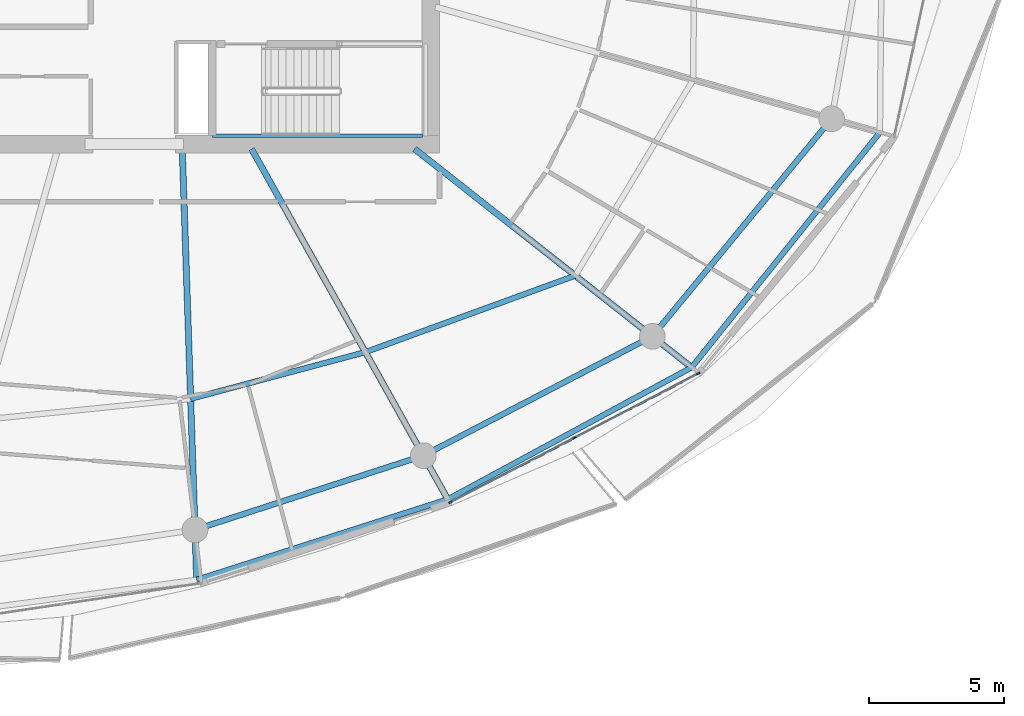
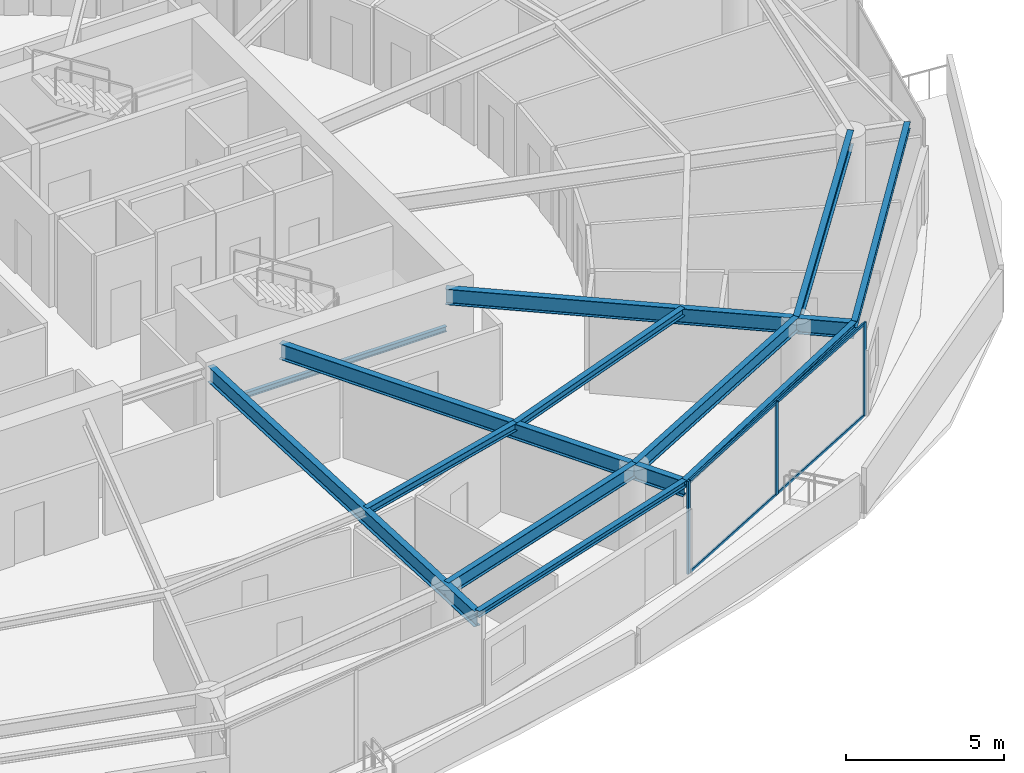
# One storey, part 9 of 29: 12 beams, 7 members, 1 element without a shape of its own.
"""IFC4 building model written with IfcOpenShell, lengths in metres."""

from ifc_helpers import new_model, si_unit, direction, frame, origin, origin_2d, place, context, subcontext, project, spatial, rectangle, i_section, extrude, material, layer, layer_set, material_profile, profile_set, type_object, element, aggregate, save


model = new_model("IFC4")

# Units and contexts
model_context = context("Model", 3, precision=1e-05, world=origin(), true_north=direction((0.0, 1.0)))
body_context = subcontext(model_context, "Body", "Model", "MODEL_VIEW")
ifc_project = project(units=[si_unit("LENGTHUNIT", "METRE"), si_unit("AREAUNIT", "SQUARE_METRE"), si_unit("VOLUMEUNIT", "CUBIC_METRE"), si_unit("PLANEANGLEUNIT", "RADIAN"), si_unit("MASSUNIT", "GRAM", prefix="KILO")], contexts=[model_context])

# Site, building, storey
site_placement = place(None, origin())
site = spatial("IfcSite", under=ifc_project, at=site_placement, CompositionType="ELEMENT")
building_placement = place(site_placement, origin())
building = spatial("IfcBuilding", under=site, at=building_placement, Name="Kazma Halo Residences", CompositionType="ELEMENT")
storey_placement = place(building_placement, frame((0.0, 0.0, 252.10009765625)))
storey = spatial("IfcBuildingStorey", under=building, at=storey_placement, Name="L63", CompositionType="ELEMENT", Elevation=252.10009765625)

# Beams
ifc_material_1 = material(Name="Steel S355", Category="steel")
ifc_material_profile_1 = material_profile(ifc_material_1, i_section(OverallWidth=0.201904296875, OverallDepth=0.2470703125, WebThickness=0.00732421875, FlangeThickness=0.010986328125, FilletRadius=0.011962890625, at=origin_2d()), Name="W250x49.1")
ifc_profile_set_1 = profile_set([ifc_material_profile_1], Name="Steel S355")
beam_type_1 = type_object("IfcBeamType", Name="BM-BAL-CANT", PredefinedType="BEAM", material=ifc_profile_set_1)
beam_1_placement = place(storey_placement, frame((50.7333984375, 17.580078125, 3.46630859375), z_axis=(0.952215866624, 0.305425839362, 0.0), x_axis=(-0.305425839362, 0.952215866624, 0.0)))
element("IfcBeam", 1, at=beam_1_placement, inside=storey, type_object=beam_type_1, Name="L63 wave-balcony tie beam 12", PredefinedType="BEAM", context=body_context, shape_type="SweptSolid", body=[
    extrude(i_section(OverallWidth=0.201904296875, OverallDepth=0.2470703125, WebThickness=0.00732421875, FlangeThickness=0.010986328125, FilletRadius=0.011962890625, at=origin_2d()), origin(), (0.0, 0.0, 1.0), 9.74169921875),
])
beam_2_placement = place(storey_placement, frame((60.009521484375, 20.555419921875, 3.46630859375), z_axis=(0.879517282036, 0.475866946321, 0.0), x_axis=(-0.475866946321, 0.879517282036, 0.0)))
element("IfcBeam", 2, at=beam_2_placement, inside=storey, type_object=beam_type_1, Name="L63 wave-balcony tie beam 13", PredefinedType="BEAM", context=body_context, shape_type="SweptSolid", body=[
    extrude(i_section(OverallWidth=0.201904296875, OverallDepth=0.2470703125, WebThickness=0.00732421875, FlangeThickness=0.010986328125, FilletRadius=0.011962890625, at=origin_2d()), origin(), (0.0, 0.0, 1.0), 10.243408203125),
])
beam_3_placement = place(storey_placement, frame((69.018798828125, 25.429931640625, 3.46630859375), z_axis=(0.625117912406, 0.780530329705, 0.0), x_axis=(-0.780530329705, 0.625117912406, 0.0)))
element("IfcBeam", 3, at=beam_3_placement, inside=storey, type_object=beam_type_1, Name="L63 wave-balcony tie beam 14", PredefinedType="BEAM", context=body_context, shape_type="SweptSolid", body=[
    extrude(i_section(OverallWidth=0.201904296875, OverallDepth=0.2470703125, WebThickness=0.00732421875, FlangeThickness=0.010986328125, FilletRadius=0.011962890625, at=origin_2d()), origin(), (0.0, 0.0, 1.0), 11.1220703125),
])
ifc_material_profile_2 = material_profile(ifc_material_1, i_section(OverallWidth=0.22802734375, OverallDepth=0.60791015625, WebThickness=0.01123046875, FlangeThickness=0.017333984375, FilletRadius=0.01806640625, at=origin_2d()), Name="W610x113")
ifc_profile_set_2 = profile_set([ifc_material_profile_2], Name="Steel S355")
beam_type_2 = type_object("IfcBeamType", Name="BM-RAD-W610", PredefinedType="BEAM", material=ifc_profile_set_2)
beam_4_placement = place(storey_placement, frame((50.199951171875, 33.5, 3.285888671875), z_axis=(0.03348936291, -0.999439073967, 0.0), x_axis=(0.999439073967, 0.03348936291, 0.0)))
element("IfcBeam", 4, at=beam_4_placement, inside=storey, type_object=beam_type_2, Name="L63 radial floor beam 12", PredefinedType="BEAM", context=body_context, shape_type="SweptSolid", body=[
    extrude(i_section(OverallWidth=0.22802734375, OverallDepth=0.60791015625, WebThickness=0.01123046875, FlangeThickness=0.017333984375, FilletRadius=0.01806640625, at=origin_2d()), origin(), (0.0, 0.0, 1.0), 15.928955078125),
])
beam_5_placement = place(storey_placement, frame((52.76025390625, 33.5, 3.285888671875), z_axis=(0.488618902548, -0.872497316943, 0.0), x_axis=(0.872497316943, 0.488618902548, 0.0)))
element("IfcBeam", 5, at=beam_5_placement, inside=storey, type_object=beam_type_2, Name="L63 radial floor beam 13", PredefinedType="BEAM", context=body_context, shape_type="SweptSolid", body=[
    extrude(i_section(OverallWidth=0.22802734375, OverallDepth=0.60791015625, WebThickness=0.01123046875, FlangeThickness=0.017333984375, FilletRadius=0.01806640625, at=origin_2d()), origin(), (0.0, 0.0, 1.0), 14.836181640625),
])
beam_6_placement = place(storey_placement, frame((58.7822265625, 33.5, 3.285888671875), z_axis=(0.785309266897, -0.619103670903, 0.0), x_axis=(0.619103670903, 0.785309266897, 0.0)))
element("IfcBeam", 6, at=beam_6_placement, inside=storey, type_object=beam_type_2, Name="L63 radial floor beam 14", PredefinedType="BEAM", context=body_context, shape_type="SweptSolid", body=[
    extrude(i_section(OverallWidth=0.22802734375, OverallDepth=0.60791015625, WebThickness=0.01123046875, FlangeThickness=0.017333984375, FilletRadius=0.01806640625, at=origin_2d()), origin(), (0.0, 0.0, 1.0), 13.03515625),
])
ifc_material_profile_3 = material_profile(ifc_material_1, i_section(OverallWidth=0.202880859375, OverallDepth=0.302978515625, WebThickness=0.007568359375, FlangeThickness=0.01318359375, FilletRadius=0.013916015625, at=origin_2d()), Name="W310x60")
ifc_profile_set_3 = profile_set([ifc_material_profile_3], Name="Steel S355")
beam_type_3 = type_object("IfcBeamType", Name="BM-SEC-W310A", PredefinedType="JOIST", material=ifc_profile_set_3)
beam_7_placement = place(storey_placement, frame((50.50927734375, 24.2666015625, 3.4384765625), z_axis=(0.966079519115, 0.258244772932, 0.0), x_axis=(-0.258244772932, 0.966079519115, 0.0)))
element("IfcBeam", 7, at=beam_7_placement, inside=storey, type_object=beam_type_3, Name="L63 circumferential floor joist 12", PredefinedType="JOIST", context=body_context, shape_type="SweptSolid", body=[
    extrude(i_section(OverallWidth=0.202880859375, OverallDepth=0.302978515625, WebThickness=0.007568359375, FlangeThickness=0.01318359375, FilletRadius=0.013916015625, at=origin_2d()), origin(), (0.0, 0.0, 1.0), 6.681884765625),
])
beam_8_placement = place(storey_placement, frame((56.964599609375, 25.9921875, 3.4384765625), z_axis=(0.93951330561, 0.342512406465, 0.0), x_axis=(-0.342512406465, 0.93951330561, 0.0)))
element("IfcBeam", 8, at=beam_8_placement, inside=storey, type_object=beam_type_3, Name="L63 circumferential floor joist 13", PredefinedType="JOIST", context=body_context, shape_type="SweptSolid", body=[
    extrude(i_section(OverallWidth=0.202880859375, OverallDepth=0.302978515625, WebThickness=0.007568359375, FlangeThickness=0.01318359375, FilletRadius=0.013916015625, at=origin_2d()), origin(), (0.0, 0.0, 1.0), 8.254150390625),
])
ifc_material_profile_4 = material_profile(ifc_material_1, i_section(OverallWidth=0.208984375, OverallDepth=0.532958984375, WebThickness=0.01025390625, FlangeThickness=0.015625, FilletRadius=0.01611328125, at=origin_2d()), Name="W530x92")
ifc_profile_set_4 = profile_set([ifc_material_profile_4], Name="Steel S355")
beam_type_4 = type_object("IfcBeamType", Name="BM-SPN-W530", PredefinedType="BEAM", material=ifc_profile_set_4)
beam_9_placement = place(storey_placement, frame((50.67138671875, 19.42919921875, 3.323486328125), z_axis=(0.951053893407, 0.309025066679, 0.0), x_axis=(-0.309025066679, 0.951053893407, 0.0)))
element("IfcBeam", 9, at=beam_9_placement, inside=storey, type_object=beam_type_4, Name="L63 perimeter ring beam 12", PredefinedType="BEAM", context=body_context, shape_type="SweptSolid", body=[
    extrude(i_section(OverallWidth=0.208984375, OverallDepth=0.532958984375, WebThickness=0.01025390625, FlangeThickness=0.015625, FilletRadius=0.01611328125, at=origin_2d()), origin(), (0.0, 0.0, 1.0), 8.8681640625),
])
beam_10_placement = place(storey_placement, frame((59.10546875, 22.169677734375, 3.323486328125), z_axis=(0.886961047115, 0.461844238788, 0.0), x_axis=(-0.461844238788, 0.886961047115, 0.0)))
element("IfcBeam", 10, at=beam_10_placement, inside=storey, type_object=beam_type_4, Name="L63 perimeter ring beam 13", PredefinedType="BEAM", context=body_context, shape_type="SweptSolid", body=[
    extrude(i_section(OverallWidth=0.208984375, OverallDepth=0.532958984375, WebThickness=0.01025390625, FlangeThickness=0.015625, FilletRadius=0.01611328125, at=origin_2d()), origin(), (0.0, 0.0, 1.0), 9.5390625),
])
beam_11_placement = place(storey_placement, frame((67.566162109375, 26.5751953125, 3.323486328125), z_axis=(0.636002144225, 0.771687289348, 0.0), x_axis=(-0.771687289348, 0.636002144225, 0.0)))
element("IfcBeam", 11, at=beam_11_placement, inside=storey, type_object=beam_type_4, Name="L63 perimeter ring beam 14", PredefinedType="BEAM", context=body_context, shape_type="SweptSolid", body=[
    extrude(i_section(OverallWidth=0.208984375, OverallDepth=0.532958984375, WebThickness=0.01025390625, FlangeThickness=0.015625, FilletRadius=0.01611328125, at=origin_2d()), origin(), (0.0, 0.0, 1.0), 10.416259765625),
])
ifc_material_profile_5 = material_profile(ifc_material_1, i_section(OverallWidth=0.133056640625, OverallDepth=0.20703125, WebThickness=0.005859375, FlangeThickness=0.00830078125, FilletRadius=0.010009765625, at=origin_2d()), Name="W200x26.6")
ifc_profile_set_5 = profile_set([ifc_material_profile_5], Name="Steel S355")
beam_type_5 = type_object("IfcBeamType", Name="BM-TRIM-W200", PredefinedType="BEAM", material=ifc_profile_set_5)
beam_12_placement = place(storey_placement, frame((51.31005859375, 33.97998046875, 1.619873046875), z_axis=(1.0, 0.0, 0.0), x_axis=(0.0, 1.0, 0.0)))
element("IfcBeam", 12, at=beam_12_placement, inside=storey, type_object=beam_type_5, Name="L63 ST-03 landing south wall ledger", PredefinedType="BEAM", context=body_context, shape_type="SweptSolid", body=[
    extrude(i_section(OverallWidth=0.133056640625, OverallDepth=0.20703125, WebThickness=0.005859375, FlangeThickness=0.00830078125, FilletRadius=0.010009765625, at=origin_2d()), origin(), (0.0, 0.0, 1.0), 7.760009765625),
])

# Curtain wall, members
ifc_material_2 = material(Name="Aluminium AW-6063 T6 and Triple-Silver Low-E Glass", Category="aluminium")
ifc_layer = layer(ifc_material_2, 0.139892578125)
ifc_layer_set = layer_set([ifc_layer], Name="Aluminium AW-6063 T6 and Triple-Silver Low-E Glass")
curtain_wall_type = type_object("IfcCurtainWallType", Name="CW-SYS-5", PredefinedType="NOTDEFINED", material=ifc_layer_set)
curtain_wall_placement = place(storey_placement, origin())
curtain_wall = element("IfcCurtainWall", 13, at=curtain_wall_placement, inside=storey, type_object=curtain_wall_type, Name="L63 unitised curtain wall B13", PredefinedType="NOTDEFINED")
ifc_material_3 = material(Name="Aluminium AW-6063 T6", Category="aluminium")
ifc_material_profile_6 = material_profile(ifc_material_3, rectangle(XDim=0.06005859375, YDim=0.139892578125, at=origin_2d()), Name="CWM-60x140")
ifc_profile_set_6 = profile_set([ifc_material_profile_6], Name="Aluminium AW-6063 T6")
member_type_1 = type_object("IfcMemberType", Name="CW-SYS-5-MUL", PredefinedType="MULLION", material=ifc_profile_set_6)
member_1_placement = place(storey_placement, frame((60.105224609375, 20.446044921875, 0.0), z_axis=(0.0, 0.0, 1.0), x_axis=(-0.460960760804, 0.887420518694, 0.0)))
member_1 = element("IfcMember", 14, at=member_1_placement, type_object=member_type_1, Name="CWS-5 mullion 1", PredefinedType="MULLION", context=body_context, shape_type="SweptSolid", body=[
    extrude(rectangle(XDim=0.06005859375, YDim=0.139892578125, at=origin_2d()), origin(), (0.0, 0.0, 1.0), 3.58984375),
])
member_2_placement = place(storey_placement, frame((64.68408203125, 22.824462890625, 0.0), z_axis=(0.0, 0.0, 1.0), x_axis=(-0.460960760804, 0.887420518694, 0.0)))
member_2 = element("IfcMember", 15, at=member_2_placement, type_object=member_type_1, Name="CWS-5 mullion 2", PredefinedType="MULLION", context=body_context, shape_type="SweptSolid", body=[
    extrude(rectangle(XDim=0.06005859375, YDim=0.139892578125, at=origin_2d()), origin(), (0.0, 0.0, 1.0), 3.58984375),
])
member_3_placement = place(storey_placement, frame((69.262939453125, 25.202880859375, 0.0), z_axis=(0.0, 0.0, 1.0), x_axis=(-0.460960760804, 0.887420518694, 0.0)))
member_3 = element("IfcMember", 16, at=member_3_placement, type_object=member_type_1, Name="CWS-5 mullion 3", PredefinedType="MULLION", context=body_context, shape_type="SweptSolid", body=[
    extrude(rectangle(XDim=0.06005859375, YDim=0.139892578125, at=origin_2d()), origin(), (0.0, 0.0, 1.0), 3.58984375),
])
ifc_material_profile_7 = material_profile(ifc_material_3, rectangle(XDim=0.06005859375, YDim=0.10498046875, at=origin_2d()), Name="CWT-60x105")
ifc_profile_set_7 = profile_set([ifc_material_profile_7], Name="Aluminium AW-6063 T6")
member_type_2 = type_object("IfcMemberType", Name="CW-SYS-5-TRN", PredefinedType="USERDEFINED", material=ifc_profile_set_7)
member_4_placement = place(storey_placement, frame((60.1318359375, 20.4599609375, 0.02978515625), z_axis=(0.887436955863, 0.46092911534, 0.0), x_axis=(-0.46092911534, 0.887436955863, 0.0)))
member_4 = element("IfcMember", 17, at=member_4_placement, type_object=member_type_2, Name="CWS-5 transom 1.1", ObjectType="TRANSOM", PredefinedType="USERDEFINED", context=body_context, shape_type="SweptSolid", body=[
    extrude(rectangle(XDim=0.06005859375, YDim=0.10498046875, at=origin_2d()), origin(), (0.0, 0.0, 1.0), 5.099609375),
])
member_5_placement = place(storey_placement, frame((60.1318359375, 20.4599609375, 3.559814453125), z_axis=(0.887436955863, 0.46092911534, 0.0), x_axis=(-0.46092911534, 0.887436955863, 0.0)))
member_5 = element("IfcMember", 18, at=member_5_placement, type_object=member_type_2, Name="CWS-5 transom 1.2", ObjectType="TRANSOM", PredefinedType="USERDEFINED", context=body_context, shape_type="SweptSolid", body=[
    extrude(rectangle(XDim=0.06005859375, YDim=0.10498046875, at=origin_2d()), origin(), (0.0, 0.0, 1.0), 5.099609375),
])
member_6_placement = place(storey_placement, frame((64.710693359375, 22.83837890625, 0.02978515625), z_axis=(0.887436955863, 0.46092911534, 0.0), x_axis=(-0.46092911534, 0.887436955863, 0.0)))
member_6 = element("IfcMember", 19, at=member_6_placement, type_object=member_type_2, Name="CWS-5 transom 2.1", ObjectType="TRANSOM", PredefinedType="USERDEFINED", context=body_context, shape_type="SweptSolid", body=[
    extrude(rectangle(XDim=0.06005859375, YDim=0.10498046875, at=origin_2d()), origin(), (0.0, 0.0, 1.0), 5.099609375),
])
member_7_placement = place(storey_placement, frame((64.710693359375, 22.83837890625, 3.559814453125), z_axis=(0.887436955863, 0.46092911534, 0.0), x_axis=(-0.46092911534, 0.887436955863, 0.0)))
member_7 = element("IfcMember", 20, at=member_7_placement, type_object=member_type_2, Name="CWS-5 transom 2.2", ObjectType="TRANSOM", PredefinedType="USERDEFINED", context=body_context, shape_type="SweptSolid", body=[
    extrude(rectangle(XDim=0.06005859375, YDim=0.10498046875, at=origin_2d()), origin(), (0.0, 0.0, 1.0), 5.099609375),
])
aggregate(curtain_wall, [member_1, member_2, member_3, member_4, member_5, member_6, member_7])

save(model, "model.ifc")
